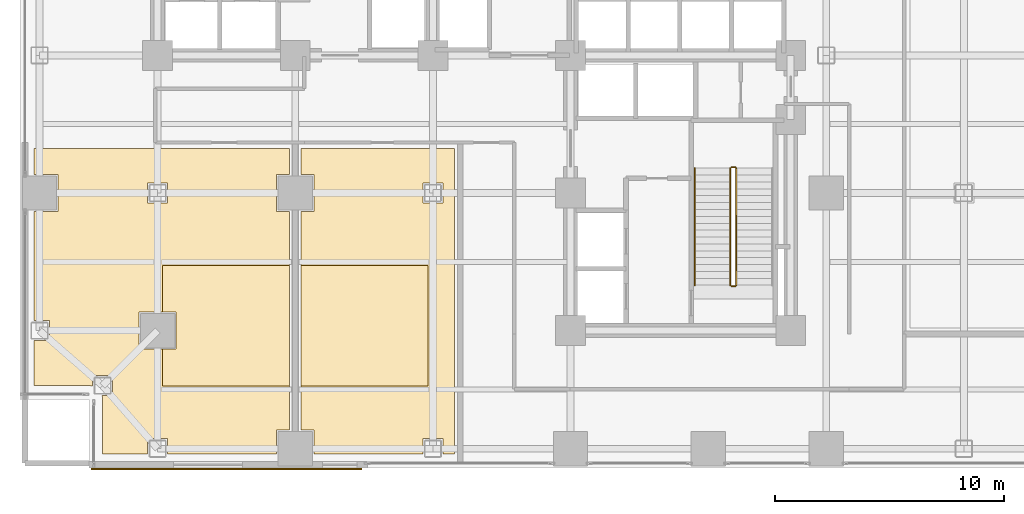
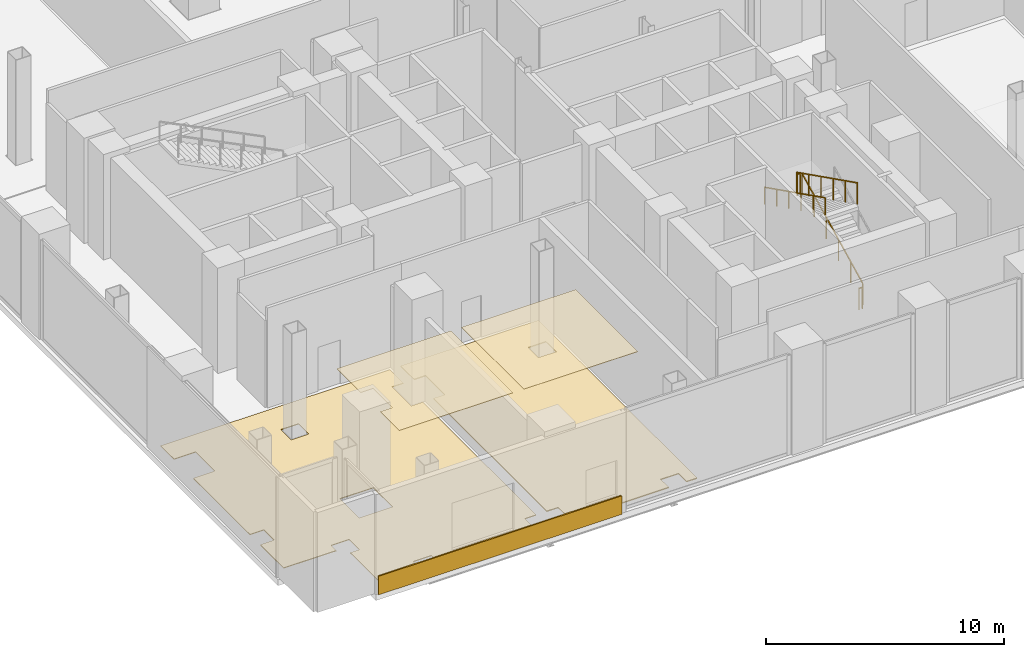
# One storey, part 24 of 27: 5 coverings, 5 railings.
"""IFC4 building model written with IfcOpenShell, lengths in metres."""

import ifcopenshell
import ifcopenshell.guid

model = None  # the IFC model being written
_history = None  # IfcOwnerHistory: only IFC2X3 demands one
_inside = {}  # id of a spatial element -> (the spatial element, [elements in it])
_under = {}  # id of a project, library or spatial element -> (it, [spatial elements below it])
_declared = {}  # id of a project -> (the project, [libraries it declares])
_typed = {}  # id of a type object -> (the type object, [elements of that type])
_made_of = {}  # id of a material, layer set ... -> (it, [elements and type objects made of it])


def new_model(schema):
    """Start an empty IFC model of exactly this schema.

    Asked for "IFC4X3", IfcOpenShell would pick the latest addendum, in which some entities
    have other attributes; the version numbers below select the first issue.
    IFC2X3 requires an IfcOwnerHistory on every rooted entity: one is made here for all.
    """
    global model, _history
    if schema == "IFC4X3":
        model = ifcopenshell.file(schema_version=(4, 3, 0, 0))
    else:
        model = ifcopenshell.file(schema=schema)
    _inside.clear()
    _under.clear()
    _declared.clear()
    _typed.clear()
    _made_of.clear()
    _history = None
    if model.schema == "IFC2X3":
        org = make("IfcOrganization", Name="unknown")
        user = make(
            "IfcPersonAndOrganization",
            ThePerson=make("IfcPerson", FamilyName="unknown"),
            TheOrganization=org,
        )
        app = make(
            "IfcApplication",
            ApplicationDeveloper=org,
            Version="unknown",
            ApplicationFullName="unknown",
            ApplicationIdentifier="unknown",
        )
        _history = make(
            "IfcOwnerHistory",
            OwningUser=user,
            OwningApplication=app,
            ChangeAction="ADDED",
            CreationDate=0,
        )
    return model


def make(cls, **values):
    """One entity of the class cls with the attributes given. An attribute that is None is left unset."""
    return model.create_entity(
        cls, **{name: value for name, value in values.items() if value is not None}
    )


def rooted(cls, **values):
    """An entity with a GlobalId (a new one), such as an element, a storey or a relation."""
    return make(cls, GlobalId=ifcopenshell.guid.new(), OwnerHistory=_history, **values)


def si_unit(unit_type, name, prefix=None):
    """IfcSIUnit, for example si_unit("LENGTHUNIT", "METRE", prefix="MILLI")."""
    return make("IfcSIUnit", UnitType=unit_type, Prefix=prefix, Name=name)


def assignment(units):
    """IfcUnitAssignment: the units of a project."""
    return None if units is None else make("IfcUnitAssignment", Units=units)


def point(xyz):
    """IfcCartesianPoint."""
    return None if xyz is None else make("IfcCartesianPoint", Coordinates=xyz)


def direction(xyz):
    """IfcDirection."""
    return None if xyz is None else make("IfcDirection", DirectionRatios=xyz)


def frame(location, z_axis=None, x_axis=None):
    """IfcAxis2Placement3D, a coordinate frame: its origin and axes. An axis left out is left unset."""
    return make(
        "IfcAxis2Placement3D",
        Location=point(location),
        Axis=direction(z_axis),
        RefDirection=direction(x_axis),
    )


def frame_2d(location, x_axis=None):
    """IfcAxis2Placement2D, a coordinate frame in the plane: its origin and x axis."""
    return make(
        "IfcAxis2Placement2D", Location=point(location), RefDirection=direction(x_axis)
    )


def origin():
    """The frame at (0, 0, 0) with its axes left unset."""
    return frame((0.0, 0.0, 0.0))


def origin_2d():
    """The frame at (0, 0) in the plane with its x axis left unset."""
    return frame_2d((0.0, 0.0))


def place(relative_to, where):
    """IfcLocalPlacement: puts the frame where relative to a parent placement (None: the world)."""
    return make(
        "IfcLocalPlacement", PlacementRelTo=relative_to, RelativePlacement=where
    )


def context(
    kind, dimensions, precision=None, world=None, true_north=None, identifier=None
):
    """IfcGeometricRepresentationContext, for example the 3D "Model" context."""
    return make(
        "IfcGeometricRepresentationContext",
        ContextIdentifier=identifier,
        ContextType=kind,
        CoordinateSpaceDimension=dimensions,
        Precision=precision,
        WorldCoordinateSystem=world,
        TrueNorth=true_north,
    )


def subcontext(parent, identifier, kind, view, scale=None):
    """IfcGeometricRepresentationSubContext, for example "Body" below "Model"."""
    return make(
        "IfcGeometricRepresentationSubContext",
        ContextIdentifier=identifier,
        ContextType=kind,
        ParentContext=parent,
        TargetScale=scale,
        TargetView=view,
    )


def project(units=None, contexts=None):
    """IfcProject with its units and contexts."""
    return rooted(
        "IfcProject",
        Name="project",
        RepresentationContexts=contexts,
        UnitsInContext=assignment(units),
    )


def spatial(cls, under=None, at=None, **own):
    """A site, building, storey or space (cls), placed at a placement, below another one or the project."""
    s = rooted(cls, ObjectPlacement=at, **own)
    if under is not None:
        _under.setdefault(under.id(), (under, []))[1].append(s)
    return s


def polyline(points):
    """IfcPolyline through the points."""
    return make("IfcPolyline", Points=[point(p) for p in points])


def profile(cls, at=None, kind="AREA", **sizes):
    """A parametric profile (cls). Its sizes go by their IFC names, for example OverallWidth=200.0."""
    return make(cls, ProfileType=kind, Position=at, **sizes)


def rectangle(**sizes):
    """IfcRectangleProfileDef."""
    return profile("IfcRectangleProfileDef", **sizes)


def outline(outer, holes=None, kind="AREA"):
    """IfcArbitraryClosedProfileDef: a profile drawn as a closed curve; with holes, ...WithVoids."""
    if holes is None:
        return make("IfcArbitraryClosedProfileDef", ProfileType=kind, OuterCurve=outer)
    return make(
        "IfcArbitraryProfileDefWithVoids",
        ProfileType=kind,
        OuterCurve=outer,
        InnerCurves=holes,
    )


def extrude(swept, where, along, depth):
    """IfcExtrudedAreaSolid: the profile swept, set in the frame where, extruded along a direction by depth."""
    return make(
        "IfcExtrudedAreaSolid",
        SweptArea=swept,
        Position=where,
        ExtrudedDirection=direction(along),
        Depth=depth,
    )


def shape(context_of_items, identifier, shape_type, items):
    """IfcShapeRepresentation: the items that make up one representation, for example the "Body"."""
    return make(
        "IfcShapeRepresentation",
        ContextOfItems=context_of_items,
        RepresentationIdentifier=identifier,
        RepresentationType=shape_type,
        Items=items,
    )


def material(Name=None, Category=None):
    """IfcMaterial."""
    return make("IfcMaterial", Name=Name, Category=Category)


def layer(
    of_material, thickness, ventilated=None, Name=None, Category=None, Priority=None
):
    """IfcMaterialLayer: one layer of a wall or slab, of a material (None: an air gap)."""
    return make(
        "IfcMaterialLayer",
        Material=of_material,
        LayerThickness=thickness,
        IsVentilated=ventilated,
        Name=Name,
        Category=Category,
        Priority=Priority,
    )


def layer_set(layers, Name=None):
    """IfcMaterialLayerSet."""
    return make("IfcMaterialLayerSet", MaterialLayers=layers, LayerSetName=Name)


def made_of(thing, what):
    """Note that an element or type object is made of a material, layer set ...; save() writes the relation."""
    if what is not None:
        _made_of.setdefault(what.id(), (what, []))[1].append(thing)
    return thing


def type_object(cls, material=None, **own):
    """A type object (cls), such as IfcWallType, which elements share."""
    return made_of(rooted(cls, **own), material)


def element(
    cls,
    number,
    at=None,
    inside=None,
    cuts=None,
    type_object=None,
    material=None,
    context=None,
    identifier="Body",
    shape_type=None,
    held_by="IfcProductDefinitionShape",
    body=None,
    shapes=None,
    **own,
):
    """One element of the class cls, such as IfcWall. Its Tag is "e" and its number.

    at: its placement. inside: the storey or other place that contains it. cuts: it is an
    opening in that element (IfcRelVoidsElement). A single representation is given by context,
    identifier, shape_type and body (its items); several are given by shapes. held_by: the class
    of the entity that holds the representations. save() writes the other relations.
    """
    e = rooted(cls, Tag="e%d" % number, ObjectPlacement=at, **own)
    if body is not None:
        shapes = [shape(context, identifier, shape_type, body)]
    if shapes is not None:
        e.Representation = make(held_by, Representations=shapes)
    if inside is not None:
        _inside.setdefault(inside.id(), (inside, []))[1].append(e)
    if cuts is not None:
        rooted(
            "IfcRelVoidsElement", RelatingBuildingElement=cuts, RelatedOpeningElement=e
        )
    if type_object is not None:
        _typed.setdefault(type_object.id(), (type_object, []))[1].append(e)
    return made_of(e, material)


def aggregate(whole, parts):
    """IfcRelAggregates: a whole, such as a stair, and the parts it consists of."""
    return rooted("IfcRelAggregates", RelatingObject=whole, RelatedObjects=parts)


def save(model, path):
    """Write the relations noted so far, then the file.

    IfcRelAggregates (storeys below a building ...), IfcRelContainedInSpatialStructure (elements
    in a storey), IfcRelDefinesByType, IfcRelAssociatesMaterial and IfcRelDeclares: one each for
    every whole, place, type object, material and project.
    """
    for whole, parts in _under.values():
        aggregate(whole, parts)
    for where, things in _inside.values():
        rooted(
            "IfcRelContainedInSpatialStructure",
            RelatedElements=things,
            RelatingStructure=where,
        )
    for kind, things in _typed.values():
        rooted("IfcRelDefinesByType", RelatedObjects=things, RelatingType=kind)
    for what, things in _made_of.values():
        rooted("IfcRelAssociatesMaterial", RelatedObjects=things, RelatingMaterial=what)
    for by, libraries in _declared.values():
        rooted("IfcRelDeclares", RelatingContext=by, RelatedDefinitions=libraries)
    model.write(path)


model = new_model("IFC4")

# Units and contexts
model_context = context("Model", 3, precision=1e-05, world=origin(), true_north=direction((0.0, 1.0)))
body_context = subcontext(model_context, "Body", "Model", "MODEL_VIEW")
ifc_project = project(units=[si_unit("LENGTHUNIT", "METRE"), si_unit("AREAUNIT", "SQUARE_METRE"), si_unit("VOLUMEUNIT", "CUBIC_METRE"), si_unit("PLANEANGLEUNIT", "RADIAN"), si_unit("MASSUNIT", "GRAM", prefix="KILO"), si_unit("THERMODYNAMICTEMPERATUREUNIT", "KELVIN"), si_unit("POWERUNIT", "WATT")], contexts=[model_context])

# Site, building, storey
site_placement = place(None, origin())
site = spatial("IfcSite", under=ifc_project, at=site_placement, CompositionType="ELEMENT")
building_placement = place(site_placement, origin())
building = spatial("IfcBuilding", under=site, at=building_placement, Name="Svarakhadi Broadcast Tower", CompositionType="ELEMENT")
storey_placement = place(building_placement, frame((0.0, 0.0, 5.699951171875)))
storey = spatial("IfcBuildingStorey", under=building, at=storey_placement, Name="L01", CompositionType="ELEMENT", Elevation=5.699951171875)

# Coverings
ifc_material_1 = material(Name="Glazed Monsoon Terracotta Rainscreen Tile", Category="masonry")
ifc_layer_1 = layer(ifc_material_1, 0.06494140625)
ifc_layer_set_1 = layer_set([ifc_layer_1], Name="Glazed Monsoon Terracotta Rainscreen Tile")
covering_type_1 = type_object("IfcCoveringType", Name="Cladding_Terracotta_CL01", PredefinedType="CLADDING", material=ifc_layer_set_1)
covering_1_placement = place(storey_placement, origin())
element("IfcCovering", 1, at=covering_1_placement, inside=storey, type_object=covering_type_1, Name="L01 Terracotta Monsoon Spandrel Rainscreen Cladding CL-01", PredefinedType="CLADDING", context=body_context, shape_type="SweptSolid", body=[
    extrude(outline(polyline([(3.10009765625, -0.06494140625), (14.89990234375, -0.06494140625), (14.89990234375, 0.0), (3.10009765625, 0.0), (3.10009765625, -0.06494140625)])), origin(), (0.0, 0.0, 1.0), 0.949951171875),
])
ifc_material_2 = material(Name="Micro-Perforated Mineral Fibre Acoustic Ceiling Tile", Category="mineral_fibre")
ifc_layer_2 = layer(ifc_material_2, 0.02490234375)
ifc_layer_set_2 = layer_set([ifc_layer_2], Name="Micro-Perforated Mineral Fibre Acoustic Ceiling Tile")
covering_type_2 = type_object("IfcCoveringType", Name="Cov_Ceiling_Tile", PredefinedType="CEILING", material=ifc_layer_set_2)
covering_2_placement = place(storey_placement, frame((0.0, 0.0, 5.10009765625)))
element("IfcCovering", 2, at=covering_2_placement, inside=storey, type_object=covering_type_2, Name="L01 L01 Master Control Broadcast Room Acoustic Ceiling", PredefinedType="CEILING", context=body_context, shape_type="SweptSolid", body=[
    extrude(outline(polyline([(11.739990234375, 3.594970703125), (6.2099609375, 3.594970703125), (6.2099609375, 3.81005859375), (6.2099609375, 5.18994140625), (6.81005859375, 5.18994140625), (6.81005859375, 6.81005859375), (6.2099609375, 6.81005859375), (6.2099609375, 8.830078125), (11.739990234375, 8.830078125), (11.739990234375, 3.594970703125)])), origin(), (0.0, 0.0, 1.0), 0.02490234375),
])
covering_3_placement = place(storey_placement, frame((0.0, 0.0, 5.10009765625)))
element("IfcCovering", 3, at=covering_3_placement, inside=storey, type_object=covering_type_2, Name="L01 L01 Audio Post-Production Mixing Room Acoustic Ceiling", PredefinedType="CEILING", context=body_context, shape_type="SweptSolid", body=[
    extrude(outline(polyline([(12.260009765625, 8.830078125), (17.7900390625, 8.830078125), (17.7900390625, 3.594970703125), (12.260009765625, 3.594970703125), (12.260009765625, 8.830078125)])), origin(), (0.0, 0.0, 1.0), 0.02490234375),
])
ifc_material_3 = material(Name="Heavy-Duty Anti-Static Broadcast Raised Access Floor", Category="steel")
ifc_layer_3 = layer(ifc_material_3, 0.050048828125)
ifc_layer_set_3 = layer_set([ifc_layer_3], Name="Heavy-Duty Anti-Static Broadcast Raised Access Floor")
covering_type_3 = type_object("IfcCoveringType", Name="Cov_Floor_Access", PredefinedType="FLOORING", material=ifc_layer_set_3)
covering_4_placement = place(storey_placement, origin())
element("IfcCovering", 4, at=covering_4_placement, inside=storey, type_object=covering_type_3, Name="L01 L01 Audio Post-Production Mixing Room Floor Finish", PredefinedType="FLOORING", context=body_context, shape_type="SweptSolid", body=[
    extrude(outline(polyline([(18.93994140625, 13.93994140625), (18.93994140625, 0.610107421875), (18.43505859375, 0.610107421875), (18.43505859375, 1.284912109375), (17.56494140625, 1.284912109375), (17.56494140625, 0.610107421875), (12.81005859375, 0.610107421875), (12.81005859375, 1.659912109375), (12.260009765625, 1.659912109375), (12.260009765625, 11.18994140625), (12.81005859375, 11.18994140625), (12.81005859375, 12.81005859375), (12.260009765625, 12.81005859375), (12.260009765625, 13.93994140625), (18.93994140625, 13.93994140625)]), holes=[polyline([(17.56494140625, 11.56494140625), (18.43505859375, 11.56494140625), (18.43505859375, 12.43505859375), (17.56494140625, 12.43505859375), (17.56494140625, 11.56494140625)])]), origin(), (0.0, 0.0, 1.0), 0.050048828125),
])
ifc_material_4 = material(Name="Honed Konkan Basalt Stone Tile Flooring", Category="masonry")
ifc_layer_4 = layer(ifc_material_4, 0.034912109375)
ifc_layer_set_4 = layer_set([ifc_layer_4], Name="Honed Konkan Basalt Stone Tile Flooring")
covering_type_4 = type_object("IfcCoveringType", Name="Cov_Floor_Basalt", PredefinedType="FLOORING", material=ifc_layer_set_4)
covering_5_placement = place(storey_placement, origin())
element("IfcCovering", 5, at=covering_5_placement, inside=storey, type_object=covering_type_4, Name="L01 L01 Master Control Broadcast Room Floor Finish", PredefinedType="FLOORING", context=body_context, shape_type="SweptSolid", body=[
    extrude(outline(polyline([(11.739990234375, 12.81005859375), (11.18994140625, 12.81005859375), (11.18994140625, 11.18994140625), (11.739990234375, 11.18994140625), (11.739990234375, 1.659912109375), (11.18994140625, 1.659912109375), (11.18994140625, 0.610107421875), (6.43505859375, 0.610107421875), (6.43505859375, 1.284912109375), (5.56494140625, 1.284912109375), (5.56494140625, 0.610107421875), (3.60009765625, 0.610107421875), (3.60009765625, 3.0), (3.60009765625, 3.009033203125), (3.597900390625, 3.050048828125), (3.595947265625, 3.06689453125), (3.590087890625, 3.10791015625), (3.5869140625, 3.1259765625), (3.576904296875, 3.1650390625), (4.034912109375, 3.1650390625), (4.034912109375, 4.034912109375), (3.1650390625, 4.034912109375), (3.1650390625, 3.576904296875), (3.1259765625, 3.5869140625), (3.10791015625, 3.590087890625), (3.06689453125, 3.595947265625), (3.050048828125, 3.597900390625), (3.009033203125, 3.60009765625), (3.0, 3.60009765625), (0.610107421875, 3.60009765625), (0.610107421875, 5.56494140625), (1.284912109375, 5.56494140625), (1.284912109375, 6.43505859375), (0.610107421875, 6.43505859375), (0.610107421875, 11.18994140625), (1.659912109375, 11.18994140625), (1.659912109375, 12.81005859375), (0.610107421875, 12.81005859375), (0.610107421875, 13.93994140625), (11.739990234375, 13.93994140625), (11.739990234375, 12.81005859375)]), holes=[polyline([(5.18994140625, 5.18994140625), (6.81005859375, 5.18994140625), (6.81005859375, 6.81005859375), (5.18994140625, 6.81005859375), (5.18994140625, 5.18994140625)]), polyline([(5.56494140625, 11.56494140625), (6.43505859375, 11.56494140625), (6.43505859375, 12.43505859375), (5.56494140625, 12.43505859375), (5.56494140625, 11.56494140625)])]), origin(), (0.0, 0.0, 1.0), 0.03515625),
])

# Railings
ifc_material_5 = material(Name="Anodised Bronze Aluminium AA 6063-T6", Category="aluminium")
railing_type_1 = type_object("IfcRailingType", Name="Guard_Stair_GR01", PredefinedType="GUARDRAIL", material=ifc_material_5)
railing_1_placement = place(storey_placement, frame((31.22998046875, 7.97998046875, 0.150146484375)))
element("IfcRailing", 6, at=railing_1_placement, inside=storey, type_object=railing_type_1, Name="L01 ST-02 stair guard 1", PredefinedType="GUARDRAIL", context=body_context, shape_type="SweptSolid", body=[
    extrude(rectangle(XDim=0.048095703125, YDim=0.048095703125, at=origin_2d()), frame((0.0, 0.0, 1.09619140625), z_axis=(0.0, 0.89444431709, 0.44717934168), x_axis=(-1.0, 0.0, 0.0)), (0.0, 0.0, 1.0), 5.701904296875),
    extrude(rectangle(XDim=0.0419921875, YDim=0.0419921875, at=origin_2d()), origin(), (0.0, 0.0, 1.0), 1.072021484375),
    extrude(rectangle(XDim=0.0419921875, YDim=0.0419921875, at=origin_2d()), frame((0.0, 1.02001953125, 0.510009765625)), (0.0, 0.0, 1.0), 1.072021484375),
    extrude(rectangle(XDim=0.0419921875, YDim=0.0419921875, at=origin_2d()), frame((0.0, 2.0400390625, 1.02001953125)), (0.0, 0.0, 1.0), 1.072021484375),
    extrude(rectangle(XDim=0.0419921875, YDim=0.0419921875, at=origin_2d()), frame((0.0, 3.06005859375, 1.52978515625)), (0.0, 0.0, 1.0), 1.072021484375),
    extrude(rectangle(XDim=0.0419921875, YDim=0.0419921875, at=origin_2d()), frame((0.0, 4.080078125, 2.039794921875)), (0.0, 0.0, 1.0), 1.072021484375),
    extrude(rectangle(XDim=0.0419921875, YDim=0.0419921875, at=origin_2d()), frame((0.0, 5.10009765625, 2.5498046875)), (0.0, 0.0, 1.0), 1.072021484375),
])
railing_2_placement = place(storey_placement, frame((31.179931640625, 13.1298828125, 2.699951171875)))
element("IfcRailing", 7, at=railing_2_placement, inside=storey, type_object=railing_type_1, Name="L01 ST-02 stair guard 2", PredefinedType="GUARDRAIL", context=body_context, shape_type="SweptSolid", body=[
    extrude(rectangle(XDim=0.048095703125, YDim=0.048095703125, at=origin_2d()), frame((0.0, 0.0, 1.09619140625), z_axis=(-1.0, 0.0, 0.0), x_axis=(0.0, -1.0, 0.0)), (0.0, 0.0, 1.0), 0.159912109375),
    extrude(rectangle(XDim=0.0419921875, YDim=0.0419921875, at=origin_2d()), origin(), (0.0, 0.0, 1.0), 1.072021484375),
    extrude(rectangle(XDim=0.0419921875, YDim=0.0419921875, at=origin_2d()), frame((-0.159912109375, 0.0, 0.0)), (0.0, 0.0, 1.0), 1.072021484375),
])
railing_3_placement = place(storey_placement, frame((30.969970703125, 13.080078125, 2.85009765625)))
element("IfcRailing", 8, at=railing_3_placement, inside=storey, type_object=railing_type_1, Name="L01 ST-02 stair guard 3", PredefinedType="GUARDRAIL", context=body_context, shape_type="SweptSolid", body=[
    extrude(rectangle(XDim=0.048095703125, YDim=0.048095703125, at=origin_2d()), frame((0.0, 0.0, 1.09619140625), z_axis=(0.0, -0.894427191, 0.4472135955), x_axis=(1.0, 0.0, 0.0)), (0.0, 0.0, 1.0), 5.7021484375),
    extrude(rectangle(XDim=0.0419921875, YDim=0.0419921875, at=origin_2d()), origin(), (0.0, 0.0, 1.0), 1.072021484375),
    extrude(rectangle(XDim=0.0419921875, YDim=0.0419921875, at=origin_2d()), frame((0.0, -1.02001953125, 0.510009765625)), (0.0, 0.0, 1.0), 1.072021484375),
    extrude(rectangle(XDim=0.0419921875, YDim=0.0419921875, at=origin_2d()), frame((0.0, -2.0400390625, 1.02001953125)), (0.0, 0.0, 1.0), 1.072021484375),
    extrude(rectangle(XDim=0.0419921875, YDim=0.0419921875, at=origin_2d()), frame((0.0, -3.06005859375, 1.530029296875)), (0.0, 0.0, 1.0), 1.072021484375),
    extrude(rectangle(XDim=0.0419921875, YDim=0.0419921875, at=origin_2d()), frame((0.0, -4.080078125, 2.0400390625)), (0.0, 0.0, 1.0), 1.072021484375),
    extrude(rectangle(XDim=0.0419921875, YDim=0.0419921875, at=origin_2d()), frame((0.0, -5.10009765625, 2.550048828125)), (0.0, 0.0, 1.0), 1.072021484375),
])
railing_4_placement = place(storey_placement, frame((31.179931640625, 7.929931640625, 0.0)))
element("IfcRailing", 9, at=railing_4_placement, inside=storey, type_object=railing_type_1, Name="L01 ST-02 stair guard 4", PredefinedType="GUARDRAIL", context=body_context, shape_type="SweptSolid", body=[
    extrude(rectangle(XDim=0.048095703125, YDim=0.048095703125, at=origin_2d()), frame((0.0, 0.0, 1.09619140625), z_axis=(-1.0, 0.0, 0.0), x_axis=(0.0, -1.0, 0.0)), (0.0, 0.0, 1.0), 0.159912109375),
    extrude(rectangle(XDim=0.0419921875, YDim=0.0419921875, at=origin_2d()), origin(), (0.0, 0.0, 1.0), 1.072021484375),
    extrude(rectangle(XDim=0.0419921875, YDim=0.0419921875, at=origin_2d()), frame((-0.159912109375, 0.0, 0.0)), (0.0, 0.0, 1.0), 1.072021484375),
])
railing_type_2 = type_object("IfcRailingType", Name="Handrail_Stair_HR01", PredefinedType="HANDRAIL", material=ifc_material_5)
railing_5_placement = place(storey_placement, frame((29.409912109375, 13.080078125, 2.85009765625)))
element("IfcRailing", 10, at=railing_5_placement, inside=storey, type_object=railing_type_2, Name="L01 ST-02 stair handrail 2", PredefinedType="HANDRAIL", context=body_context, shape_type="SweptSolid", body=[
    extrude(rectangle(XDim=0.048095703125, YDim=0.048095703125, at=origin_2d()), frame((0.0, 0.0, 0.8759765625), z_axis=(0.0, -0.894427191, 0.4472135955), x_axis=(1.0, 0.0, 0.0)), (0.0, 0.0, 1.0), 5.7021484375),
    extrude(rectangle(XDim=0.0419921875, YDim=0.0419921875, at=origin_2d()), origin(), (0.0, 0.0, 1.0), 0.851806640625),
    extrude(rectangle(XDim=0.0419921875, YDim=0.0419921875, at=origin_2d()), frame((0.0, -1.02001953125, 0.510009765625)), (0.0, 0.0, 1.0), 0.851806640625),
    extrude(rectangle(XDim=0.0419921875, YDim=0.0419921875, at=origin_2d()), frame((0.0, -2.0400390625, 1.02001953125)), (0.0, 0.0, 1.0), 0.851806640625),
    extrude(rectangle(XDim=0.0419921875, YDim=0.0419921875, at=origin_2d()), frame((0.0, -3.06005859375, 1.530029296875)), (0.0, 0.0, 1.0), 0.851806640625),
    extrude(rectangle(XDim=0.0419921875, YDim=0.0419921875, at=origin_2d()), frame((0.0, -4.080078125, 2.0400390625)), (0.0, 0.0, 1.0), 0.851806640625),
    extrude(rectangle(XDim=0.0419921875, YDim=0.0419921875, at=origin_2d()), frame((0.0, -5.10009765625, 2.550048828125)), (0.0, 0.0, 1.0), 0.851806640625),
])

save(model, "model.ifc")
